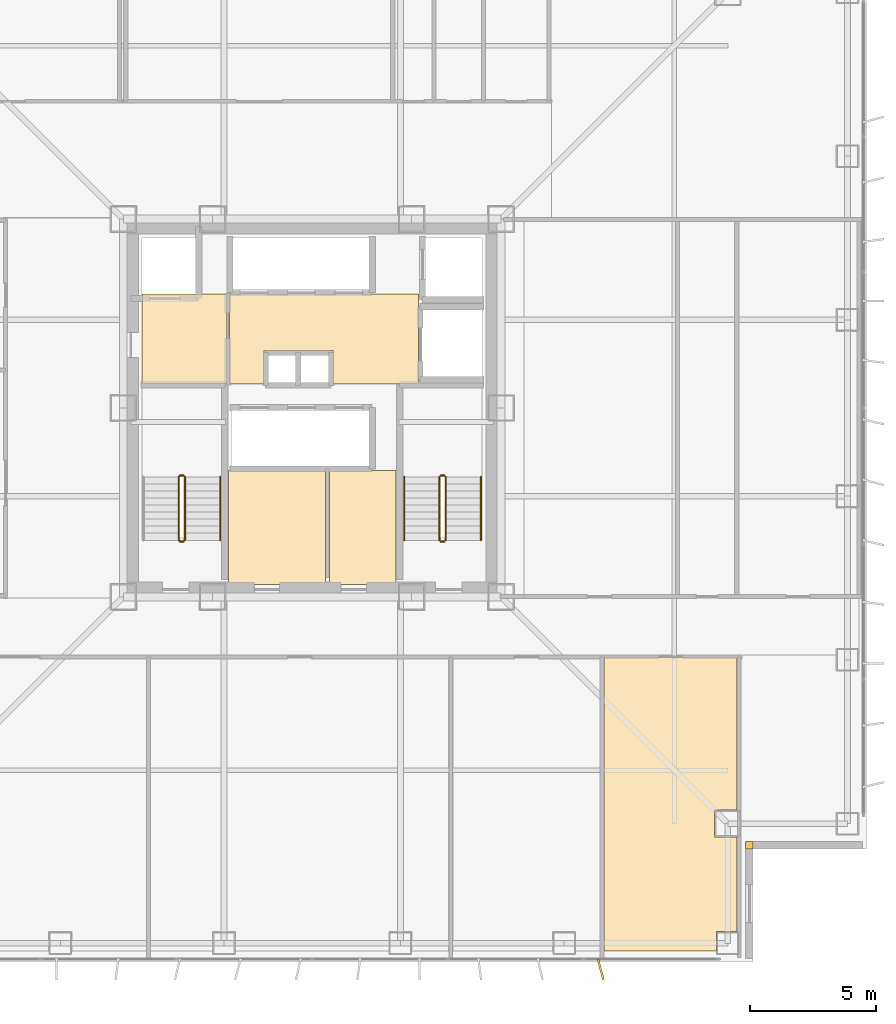
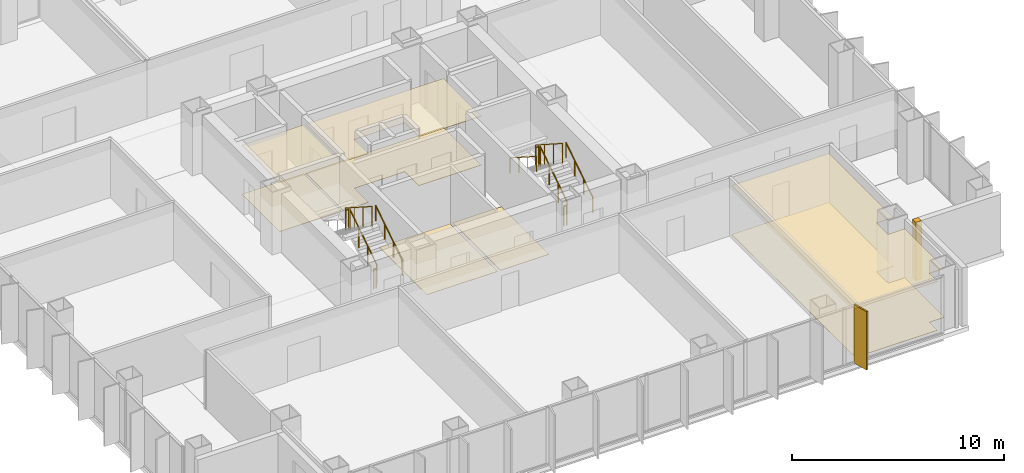
# One storey, part 16 of 17: 11 railings, 9 coverings, 1 shading device.
"""IFC4 building model written with IfcOpenShell, lengths in metres."""

from ifc_helpers import new_model, si_unit, direction, frame, origin, origin_2d, place, context, subcontext, project, spatial, polyline, rectangle, circle, outline, extrude, material, layer, layer_set, type_object, element, save


model = new_model("IFC4")

# Units and contexts
model_context = context("Model", 3, precision=1e-05, world=origin(), true_north=direction((0.0, 1.0)))
body_context = subcontext(model_context, "Body", "Model", "MODEL_VIEW")
ifc_project = project(units=[si_unit("LENGTHUNIT", "METRE"), si_unit("AREAUNIT", "SQUARE_METRE"), si_unit("VOLUMEUNIT", "CUBIC_METRE"), si_unit("PLANEANGLEUNIT", "RADIAN"), si_unit("MASSUNIT", "GRAM", prefix="KILO")], contexts=[model_context])

# Site, building, storey
site_placement = place(None, origin())
site = spatial("IfcSite", under=ifc_project, at=site_placement, CompositionType="ELEMENT")
building_placement = place(site_placement, origin())
building = spatial("IfcBuilding", under=site, at=building_placement, Name="Trevonay Congress Spire", CompositionType="ELEMENT")
storey_placement = place(building_placement, frame((0.0, 0.0, 126.39990234375)))
storey = spatial("IfcBuildingStorey", under=building, at=storey_placement, Name="L32", CompositionType="ELEMENT", Elevation=126.39990234375)

# Coverings
ifc_material_1 = material(Name="Acoustic Mineral Fibre Board", Category="gypsum")
ifc_layer_1 = layer(ifc_material_1, 0.02490234375, Name="Acoustic Mineral Fibre Board")
ifc_layer_set_1 = layer_set([ifc_layer_1], Name="Acoustic Mineral Fibre Board")
covering_type_1 = type_object("IfcCoveringType", Name="COV-CEIL-ACOUSTIC", PredefinedType="CEILING", material=ifc_layer_set_1)
covering_1_placement = place(storey_placement, frame((0.0, 0.0, 2.81005859375)))
element("IfcCovering", 1, at=covering_1_placement, inside=storey, type_object=covering_type_1, Name="L32 Firefighting Lift Lobby West acoustic suspended ceiling", PredefinedType="CEILING", context=body_context, shape_type="SweptSolid", body=[
    extrude(outline(polyline([(-6.75, 0.9599609375), (-3.3798828125, 0.9599609375), (-3.3798828125, 4.52001953125), (-6.75, 4.52001953125), (-6.75, 0.9599609375)])), origin(), (0.0, 0.0, 1.0), 0.025146484375),
])
covering_2_placement = place(storey_placement, frame((0.0, 0.0, 2.81005859375)))
element("IfcCovering", 2, at=covering_2_placement, inside=storey, type_object=covering_type_1, Name="L32 Central and High-Rise Passenger Lift Lobby acoustic suspended ceiling", PredefinedType="CEILING", context=body_context, shape_type="SweptSolid", body=[
    extrude(outline(polyline([(-3.280029296875, 0.949951171875), (-1.919921875, 0.949951171875), (-1.919921875, 2.280029296875), (0.820068359375, 2.280029296875), (0.820068359375, 0.949951171875), (4.219970703125, 0.949951171875), (4.219970703125, 4.52001953125), (-3.280029296875, 4.52001953125), (-3.280029296875, 0.949951171875)])), origin(), (0.0, 0.0, 1.0), 0.025146484375),
])
covering_3_placement = place(storey_placement, frame((0.0, 0.0, 2.81005859375)))
element("IfcCovering", 3, at=covering_3_placement, inside=storey, type_object=covering_type_1, Name="L32 Dishwash and Pastry Pantry acoustic suspended ceiling", PredefinedType="CEILING", context=body_context, shape_type="SweptSolid", body=[
    extrude(outline(polyline([(11.580078125, -21.550048828125), (11.580078125, -9.8798828125), (16.8701171875, -9.8798828125), (16.8701171875, -15.965087890625), (15.965087890625, -15.965087890625), (15.965087890625, -17.034912109375), (16.8701171875, -17.034912109375), (16.8701171875, -20.7900390625), (16.0400390625, -20.7900390625), (16.0400390625, -21.550048828125), (11.580078125, -21.550048828125)])), origin(), (0.0, 0.0, 1.0), 0.025146484375),
])
ifc_material_2 = material(Name="Polished Granite Floor Tile", Category="masonry")
ifc_layer_2 = layer(ifc_material_2, 0.02001953125, Name="Polished Granite Floor Tile")
ifc_layer_set_2 = layer_set([ifc_layer_2], Name="Polished Granite Floor Tile")
covering_type_2 = type_object("IfcCoveringType", Name="COV-FLOOR-STONE", PredefinedType="FLOORING", material=ifc_layer_set_2)
covering_4_placement = place(storey_placement, origin())
element("IfcCovering", 4, at=covering_4_placement, inside=storey, type_object=covering_type_2, Name="L32 Firefighting Lift Lobby West floor finish", PredefinedType="FLOORING", context=body_context, shape_type="SweptSolid", body=[
    extrude(outline(polyline([(-6.75, 0.9599609375), (-3.3798828125, 0.9599609375), (-3.3798828125, 4.52001953125), (-6.75, 4.52001953125), (-6.75, 0.9599609375)])), origin(), (0.0, 0.0, 1.0), 0.02001953125),
])
covering_5_placement = place(storey_placement, origin())
element("IfcCovering", 5, at=covering_5_placement, inside=storey, type_object=covering_type_2, Name="L32 Central and High-Rise Passenger Lift Lobby floor finish", PredefinedType="FLOORING", context=body_context, shape_type="SweptSolid", body=[
    extrude(outline(polyline([(-3.280029296875, 0.949951171875), (-1.919921875, 0.949951171875), (-1.919921875, 2.280029296875), (0.820068359375, 2.280029296875), (0.820068359375, 0.949951171875), (4.219970703125, 0.949951171875), (4.219970703125, 4.52001953125), (-3.280029296875, 4.52001953125), (-3.280029296875, 0.949951171875)])), origin(), (0.0, 0.0, 1.0), 0.02001953125),
])
covering_6_placement = place(storey_placement, origin())
element("IfcCovering", 6, at=covering_6_placement, inside=storey, type_object=covering_type_2, Name="L32 Core Electrical Sub-Board Room floor finish", PredefinedType="FLOORING", context=body_context, shape_type="SweptSolid", body=[
    extrude(outline(polyline([(-3.320068359375, -7.0), (0.52001953125, -7.0), (0.52001953125, -2.47998046875), (-3.320068359375, -2.47998046875), (-3.320068359375, -7.0)])), origin(), (0.0, 0.0, 1.0), 0.02001953125),
])
covering_7_placement = place(storey_placement, origin())
element("IfcCovering", 7, at=covering_7_placement, inside=storey, type_object=covering_type_2, Name="L32 Cleaner and Housekeeping Store floor finish", PredefinedType="FLOORING", context=body_context, shape_type="SweptSolid", body=[
    extrude(outline(polyline([(0.679931640625, -7.0), (3.320068359375, -7.0), (3.320068359375, -2.47998046875), (0.679931640625, -2.47998046875), (0.679931640625, -7.0)])), origin(), (0.0, 0.0, 1.0), 0.02001953125),
])
covering_8_placement = place(storey_placement, origin())
element("IfcCovering", 8, at=covering_8_placement, inside=storey, type_object=covering_type_2, Name="L32 Dishwash and Pastry Pantry floor finish", PredefinedType="FLOORING", context=body_context, shape_type="SweptSolid", body=[
    extrude(outline(polyline([(11.580078125, -21.550048828125), (11.580078125, -9.8798828125), (16.8701171875, -9.8798828125), (16.8701171875, -15.965087890625), (15.965087890625, -15.965087890625), (15.965087890625, -17.034912109375), (16.8701171875, -17.034912109375), (16.8701171875, -20.7900390625), (16.0400390625, -20.7900390625), (16.0400390625, -21.550048828125), (11.580078125, -21.550048828125)])), origin(), (0.0, 0.0, 1.0), 0.02001953125),
])
ifc_material_3 = material(Name="Pale Anodised Aluminium EN AW-6063-T6", Category="aluminium")
ifc_layer_3 = layer(ifc_material_3, 0.0400390625, Name="Pale Anodised Aluminium EN AW-6063-T6")
ifc_layer_set_3 = layer_set([ifc_layer_3], Name="Pale Anodised Aluminium EN AW-6063-T6")
covering_type_3 = type_object("IfcCoveringType", Name="COV-SPANDREL-PALE-METAL", PredefinedType="CLADDING", material=ifc_layer_set_3)
covering_9_placement = place(storey_placement, origin())
element("IfcCovering", 9, at=covering_9_placement, inside=storey, type_object=covering_type_3, Name="L32 SE re-entrant notch corner closure trim", PredefinedType="CLADDING", context=body_context, shape_type="SweptSolid", body=[
    extrude(outline(polyline([(17.199951171875, -17.5), (17.5, -17.5), (17.5, -17.199951171875), (17.199951171875, -17.199951171875), (17.199951171875, -17.5)])), origin(), (0.0, 0.0, 1.0), 3.360107421875),
])

# Railings
railing_type_1 = type_object("IfcRailingType", Name="RAL-STAIR-GUARD-110", PredefinedType="GUARDRAIL", material=ifc_material_3)
railing_1_placement = place(storey_placement, frame((-5.050048828125, -5.25, 0.18017578125)))
element("IfcRailing", 10, at=railing_1_placement, inside=storey, type_object=railing_type_1, Name="L32 ST-1 stair guard 1", PredefinedType="GUARDRAIL", context=body_context, shape_type="SweptSolid", body=[
    extrude(circle(Radius=0.02392578125, at=origin_2d()), frame((0.0, 0.0, 1.1259765625), z_axis=(0.0, 0.841199657755, 0.540724639528), x_axis=(-1.0, 0.0, 0.0)), (0.0, 0.0, 1.0), 2.995849609375),
    extrude(circle(Radius=0.02099609375, at=origin_2d()), origin(), (0.0, 0.0, 1.0), 1.101806640625),
    extrude(circle(Radius=0.02099609375, at=origin_2d()), frame((0.0, 0.840087890625, 0.5400390625)), (0.0, 0.0, 1.0), 1.101806640625),
    extrude(circle(Radius=0.02099609375, at=origin_2d()), frame((0.0, 1.679931640625, 1.079833984375)), (0.0, 0.0, 1.0), 1.101806640625),
    extrude(circle(Radius=0.02099609375, at=origin_2d()), frame((0.0, 2.52001953125, 1.619873046875)), (0.0, 0.0, 1.0), 1.101806640625),
])
railing_2_placement = place(storey_placement, frame((-5.10009765625, -2.679931640625, 1.800048828125)))
element("IfcRailing", 11, at=railing_2_placement, inside=storey, type_object=railing_type_1, Name="L32 ST-1 stair guard 2", PredefinedType="GUARDRAIL", context=body_context, shape_type="SweptSolid", body=[
    extrude(circle(Radius=0.02392578125, at=origin_2d()), frame((0.0, 0.0, 1.1259765625), z_axis=(-1.0, 0.0, 0.0), x_axis=(0.0, -1.0, 0.0)), (0.0, 0.0, 1.0), 0.14990234375),
    extrude(circle(Radius=0.02099609375, at=origin_2d()), origin(), (0.0, 0.0, 1.0), 1.101806640625),
    extrude(circle(Radius=0.02099609375, at=origin_2d()), frame((-0.14990234375, 0.0, 0.0)), (0.0, 0.0, 1.0), 1.101806640625),
])
railing_3_placement = place(storey_placement, frame((-5.300048828125, -2.72998046875, 1.97998046875)))
element("IfcRailing", 12, at=railing_3_placement, inside=storey, type_object=railing_type_1, Name="L32 ST-1 stair guard 3", PredefinedType="GUARDRAIL", context=body_context, shape_type="SweptSolid", body=[
    extrude(circle(Radius=0.02392578125, at=origin_2d()), frame((0.0, 0.0, 1.1259765625), z_axis=(0.0, -0.841162588446, 0.540782303519), x_axis=(1.0, 0.0, 0.0)), (0.0, 0.0, 1.0), 2.995849609375),
    extrude(circle(Radius=0.02099609375, at=origin_2d()), origin(), (0.0, 0.0, 1.0), 1.101806640625),
    extrude(circle(Radius=0.02099609375, at=origin_2d()), frame((0.0, -0.840087890625, 0.5400390625)), (0.0, 0.0, 1.0), 1.101806640625),
    extrude(circle(Radius=0.02099609375, at=origin_2d()), frame((0.0, -1.679931640625, 1.080078125)), (0.0, 0.0, 1.0), 1.101806640625),
    extrude(circle(Radius=0.02099609375, at=origin_2d()), frame((0.0, -2.52001953125, 1.6201171875)), (0.0, 0.0, 1.0), 1.101806640625),
])
railing_4_placement = place(storey_placement, frame((-5.10009765625, -5.300048828125, 0.0)))
element("IfcRailing", 13, at=railing_4_placement, inside=storey, type_object=railing_type_1, Name="L32 ST-1 stair guard 4", PredefinedType="GUARDRAIL", context=body_context, shape_type="SweptSolid", body=[
    extrude(circle(Radius=0.02392578125, at=origin_2d()), frame((0.0, 0.0, 1.1259765625), z_axis=(-1.0, 0.0, 0.0), x_axis=(0.0, -1.0, 0.0)), (0.0, 0.0, 1.0), 0.14990234375),
    extrude(circle(Radius=0.02099609375, at=origin_2d()), origin(), (0.0, 0.0, 1.0), 1.101806640625),
    extrude(circle(Radius=0.02099609375, at=origin_2d()), frame((-0.14990234375, 0.0, 0.0)), (0.0, 0.0, 1.0), 1.101806640625),
])
railing_5_placement = place(storey_placement, frame((5.300048828125, -5.25, 0.18017578125)))
element("IfcRailing", 14, at=railing_5_placement, inside=storey, type_object=railing_type_1, Name="L32 ST-2 stair guard 1", PredefinedType="GUARDRAIL", context=body_context, shape_type="SweptSolid", body=[
    extrude(circle(Radius=0.02392578125, at=origin_2d()), frame((0.0, 0.0, 1.1259765625), z_axis=(0.0, 0.841199657755, 0.540724639528), x_axis=(-1.0, 0.0, 0.0)), (0.0, 0.0, 1.0), 2.995849609375),
    extrude(circle(Radius=0.02099609375, at=origin_2d()), origin(), (0.0, 0.0, 1.0), 1.101806640625),
    extrude(circle(Radius=0.02099609375, at=origin_2d()), frame((0.0, 0.840087890625, 0.5400390625)), (0.0, 0.0, 1.0), 1.101806640625),
    extrude(circle(Radius=0.02099609375, at=origin_2d()), frame((0.0, 1.679931640625, 1.079833984375)), (0.0, 0.0, 1.0), 1.101806640625),
    extrude(circle(Radius=0.02099609375, at=origin_2d()), frame((0.0, 2.52001953125, 1.619873046875)), (0.0, 0.0, 1.0), 1.101806640625),
])
railing_6_placement = place(storey_placement, frame((5.25, -2.679931640625, 1.800048828125)))
element("IfcRailing", 15, at=railing_6_placement, inside=storey, type_object=railing_type_1, Name="L32 ST-2 stair guard 2", PredefinedType="GUARDRAIL", context=body_context, shape_type="SweptSolid", body=[
    extrude(circle(Radius=0.02392578125, at=origin_2d()), frame((0.0, 0.0, 1.1259765625), z_axis=(-1.0, 0.0, 0.0), x_axis=(0.0, -1.0, 0.0)), (0.0, 0.0, 1.0), 0.14990234375),
    extrude(circle(Radius=0.02099609375, at=origin_2d()), origin(), (0.0, 0.0, 1.0), 1.101806640625),
    extrude(circle(Radius=0.02099609375, at=origin_2d()), frame((-0.14990234375, 0.0, 0.0)), (0.0, 0.0, 1.0), 1.101806640625),
])
railing_7_placement = place(storey_placement, frame((5.050048828125, -2.72998046875, 1.97998046875)))
element("IfcRailing", 16, at=railing_7_placement, inside=storey, type_object=railing_type_1, Name="L32 ST-2 stair guard 3", PredefinedType="GUARDRAIL", context=body_context, shape_type="SweptSolid", body=[
    extrude(circle(Radius=0.02392578125, at=origin_2d()), frame((0.0, 0.0, 1.1259765625), z_axis=(0.0, -0.841162588446, 0.540782303519), x_axis=(1.0, 0.0, 0.0)), (0.0, 0.0, 1.0), 2.995849609375),
    extrude(circle(Radius=0.02099609375, at=origin_2d()), origin(), (0.0, 0.0, 1.0), 1.101806640625),
    extrude(circle(Radius=0.02099609375, at=origin_2d()), frame((0.0, -0.840087890625, 0.5400390625)), (0.0, 0.0, 1.0), 1.101806640625),
    extrude(circle(Radius=0.02099609375, at=origin_2d()), frame((0.0, -1.679931640625, 1.080078125)), (0.0, 0.0, 1.0), 1.101806640625),
    extrude(circle(Radius=0.02099609375, at=origin_2d()), frame((0.0, -2.52001953125, 1.6201171875)), (0.0, 0.0, 1.0), 1.101806640625),
])
railing_8_placement = place(storey_placement, frame((5.25, -5.300048828125, 0.0)))
element("IfcRailing", 17, at=railing_8_placement, inside=storey, type_object=railing_type_1, Name="L32 ST-2 stair guard 4", PredefinedType="GUARDRAIL", context=body_context, shape_type="SweptSolid", body=[
    extrude(circle(Radius=0.02392578125, at=origin_2d()), frame((0.0, 0.0, 1.1259765625), z_axis=(-1.0, 0.0, 0.0), x_axis=(0.0, -1.0, 0.0)), (0.0, 0.0, 1.0), 0.14990234375),
    extrude(circle(Radius=0.02099609375, at=origin_2d()), origin(), (0.0, 0.0, 1.0), 1.101806640625),
    extrude(circle(Radius=0.02099609375, at=origin_2d()), frame((-0.14990234375, 0.0, 0.0)), (0.0, 0.0, 1.0), 1.101806640625),
])
railing_type_2 = type_object("IfcRailingType", Name="RAL-STAIR-HANDRAIL", PredefinedType="HANDRAIL", material=ifc_material_3)
for number, where, name in (
    (18, (-3.64990234375, -5.25, 0.18017578125), "L32 ST-1 stair handrail 1"),
    (19, (6.699951171875, -5.25, 0.18017578125), "L32 ST-2 stair handrail 1"),
):
    element("IfcRailing", number, at=place(storey_placement, frame(where)), inside=storey, type_object=railing_type_2, Name=name, PredefinedType="HANDRAIL", context=body_context, shape_type="SweptSolid", body=[
        extrude(circle(Radius=0.02392578125, at=origin_2d()), frame((0.0, 0.0, 0.8759765625), z_axis=(0.0, 0.841199657755, 0.540724639528), x_axis=(-1.0, 0.0, 0.0)), (0.0, 0.0, 1.0), 2.995849609375),
        extrude(circle(Radius=0.02099609375, at=origin_2d()), origin(), (0.0, 0.0, 1.0), 0.851806640625),
        extrude(circle(Radius=0.02099609375, at=origin_2d()), frame((0.0, 0.840087890625, 0.5400390625)), (0.0, 0.0, 1.0), 0.851806640625),
        extrude(circle(Radius=0.02099609375, at=origin_2d()), frame((0.0, 1.679931640625, 1.079833984375)), (0.0, 0.0, 1.0), 0.851806640625),
        extrude(circle(Radius=0.02099609375, at=origin_2d()), frame((0.0, 2.52001953125, 1.619873046875)), (0.0, 0.0, 1.0), 0.851806640625),
    ])
railing_9_placement = place(storey_placement, frame((3.64990234375, -2.72998046875, 1.97998046875)))
element("IfcRailing", 20, at=railing_9_placement, inside=storey, type_object=railing_type_2, Name="L32 ST-2 stair handrail 2", PredefinedType="HANDRAIL", context=body_context, shape_type="SweptSolid", body=[
    extrude(circle(Radius=0.02392578125, at=origin_2d()), frame((0.0, 0.0, 0.8759765625), z_axis=(0.0, -0.841162588446, 0.540782303519), x_axis=(1.0, 0.0, 0.0)), (0.0, 0.0, 1.0), 2.995849609375),
    extrude(circle(Radius=0.02099609375, at=origin_2d()), origin(), (0.0, 0.0, 1.0), 0.851806640625),
    extrude(circle(Radius=0.02099609375, at=origin_2d()), frame((0.0, -0.840087890625, 0.5400390625)), (0.0, 0.0, 1.0), 0.851806640625),
    extrude(circle(Radius=0.02099609375, at=origin_2d()), frame((0.0, -1.679931640625, 1.080078125)), (0.0, 0.0, 1.0), 0.851806640625),
    extrude(circle(Radius=0.02099609375, at=origin_2d()), frame((0.0, -2.52001953125, 1.6201171875)), (0.0, 0.0, 1.0), 0.851806640625),
])

# Shading device
shading_device_type = type_object("IfcShadingDeviceType", Name="SHD-FIN-Z2-PALE-METAL", PredefinedType="USERDEFINED", material=ifc_material_3)
shading_device_placement = place(storey_placement, frame((11.449951171875, -22.280029296875, 0.0), z_axis=(0.0, 0.0, 1.0), x_axis=(0.965925826289, 0.258819045103, 0.0)))
element("IfcShadingDevice", 21, at=shading_device_placement, inside=storey, type_object=shading_device_type, Name="L32 S vertical pale-metal solar fin 12", ObjectType="SOLAR FIN", PredefinedType="USERDEFINED", context=body_context, shape_type="SweptSolid", body=[
    extrude(rectangle(XDim=0.080078125, YDim=0.85009765625, at=origin_2d()), origin(), (0.0, 0.0, 1.0), 3.360107421875),
])

save(model, "model.ifc")
